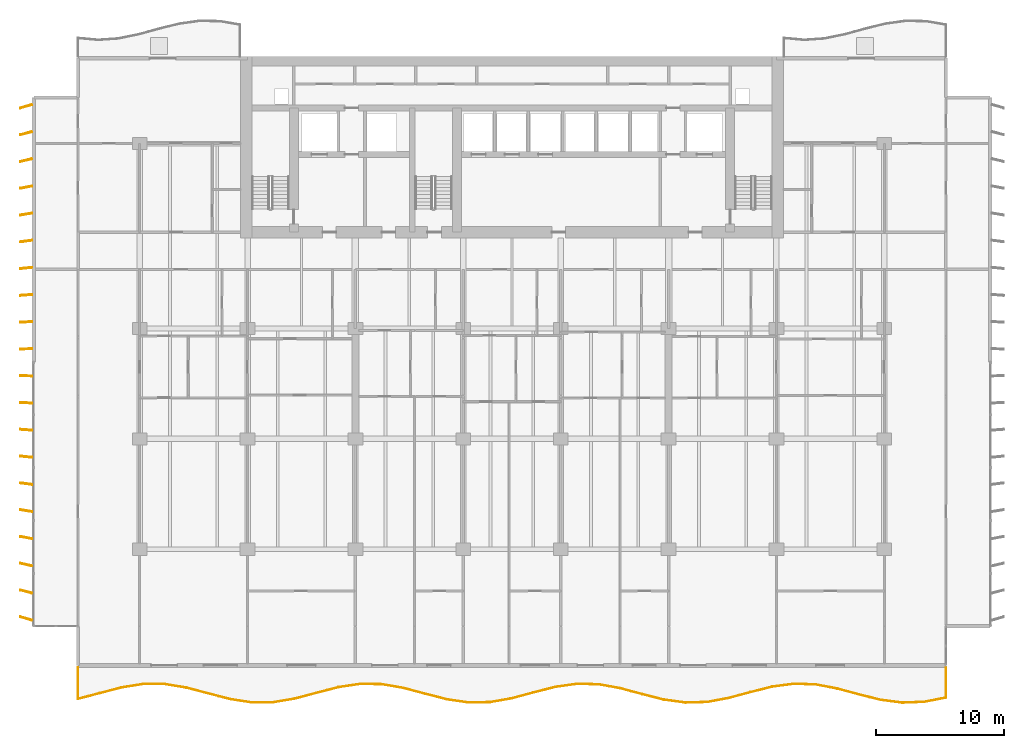
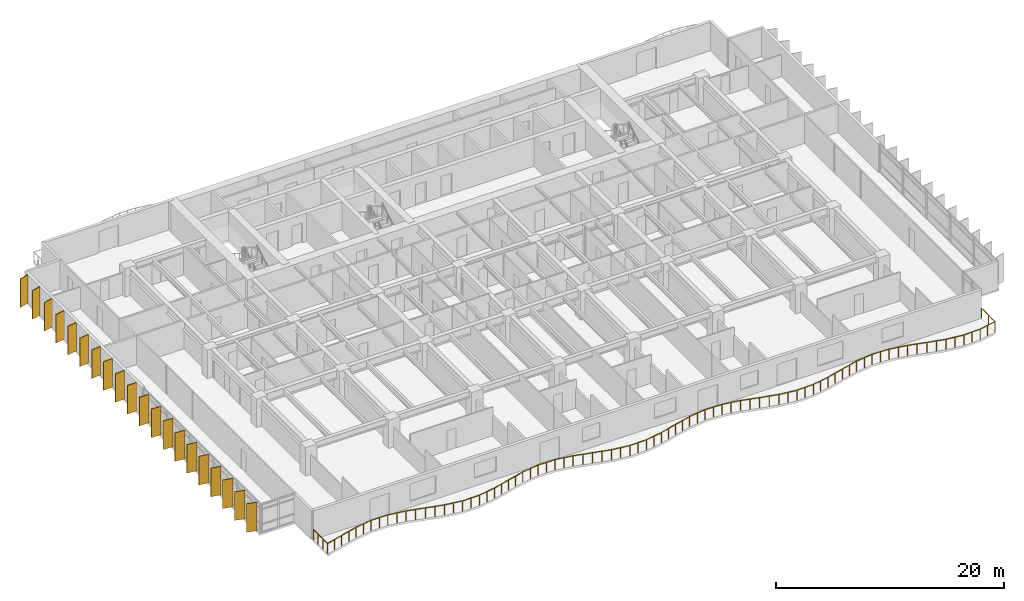
# One storey, part 15 of 18: 20 shading devices, 1 railing.
"""IFC4 building model written with IfcOpenShell, lengths in metres."""

from ifc_helpers import new_model, si_unit, direction, frame, origin, origin_2d, place, context, subcontext, project, spatial, rectangle, circle, extrude, material, material_profile, profile_set, type_object, element, save


model = new_model("IFC4")

# Units and contexts
model_context = context("Model", 3, precision=1e-05, world=origin(), true_north=direction((0.0, 1.0)))
body_context = subcontext(model_context, "Body", "Model", "MODEL_VIEW")
ifc_project = project(units=[si_unit("LENGTHUNIT", "METRE"), si_unit("AREAUNIT", "SQUARE_METRE"), si_unit("VOLUMEUNIT", "CUBIC_METRE"), si_unit("PLANEANGLEUNIT", "RADIAN"), si_unit("MASSUNIT", "GRAM", prefix="KILO")], contexts=[model_context])

# Site, building, storey
site_placement = place(None, origin())
site = spatial("IfcSite", under=ifc_project, at=site_placement, CompositionType="ELEMENT")
building_placement = place(site_placement, origin())
building = spatial("IfcBuilding", under=site, at=building_placement, Name="Caelmar Bay Residences", CompositionType="ELEMENT")
storey_placement = place(building_placement, frame((0.0, 0.0, 43.199951171875)))
storey = spatial("IfcBuildingStorey", under=building, at=storey_placement, Name="L10", CompositionType="ELEMENT", Elevation=43.199951171875)

# Railing
ifc_material_1 = material(Name="Anodised bronze handrail with laminated hurricane glass infill", Category="glass")
railing_type = type_object("IfcRailingType", Name="RL-BAL-1100", PredefinedType="BALUSTRADE", material=ifc_material_1)
railing_placement = place(storey_placement, frame((5.10009765625, 3.0, 0.0)))
element("IfcRailing", 1, at=railing_placement, inside=storey, type_object=railing_type, Name="L10 south Balcony Balustrade", PredefinedType="BALUSTRADE", context=body_context, shape_type="SweptSolid", body=[
    extrude(circle(Radius=0.02392578125, at=origin_2d()), frame((0.0, 0.0, 1.076171875), z_axis=(0.0, -1.0, 0.0), x_axis=(1.0, 0.0, 0.0)), (0.0, 0.0, 1.0), 2.460693359375),
    extrude(circle(Radius=0.02392578125, at=origin_2d()), frame((0.0, -2.460693359375, 1.076171875), z_axis=(0.967231823258, 0.25389486028, 0.0), x_axis=(-0.25389486028, 0.967231823258, 0.0)), (0.0, 0.0, 1.0), 1.747314453125),
    extrude(circle(Radius=0.02392578125, at=origin_2d()), frame((1.68994140625, -2.01708984375, 1.076171875), z_axis=(0.967403207519, 0.253241059235, 0.0), x_axis=(-0.253241059235, 0.967403207519, 0.0)), (0.0, 0.0, 1.0), 1.746826171875),
    extrude(circle(Radius=0.02392578125, at=origin_2d()), frame((3.3798828125, -1.57470703125, 1.076171875), z_axis=(0.987429947528, 0.158057264066, 0.0), x_axis=(-0.158057264066, 0.987429947528, 0.0)), (0.0, 0.0, 1.0), 1.71142578125),
    extrude(circle(Radius=0.02392578125, at=origin_2d()), frame((5.06982421875, -1.30419921875, 1.076171875), z_axis=(0.999993479857, -0.00361112769, 0.0), x_axis=(0.00361112769, 0.999993479857, 0.0)), (0.0, 0.0, 1.0), 1.690185546875),
    extrude(circle(Radius=0.02392578125, at=origin_2d()), frame((6.760009765625, -1.310302734375, 1.076171875), z_axis=(0.986524575318, -0.16361314829, 0.0), x_axis=(0.16361314829, 0.986524575318, 0.0)), (0.0, 0.0, 1.0), 1.713134765625),
    extrude(circle(Radius=0.02392578125, at=origin_2d()), frame((8.449951171875, -1.590576171875, 1.076171875), z_axis=(0.966853438305, -0.255331997287, 0.0), x_axis=(0.255331997287, 0.966853438305, 0.0)), (0.0, 0.0, 1.0), 1.747802734375),
    extrude(circle(Radius=0.02392578125, at=origin_2d()), frame((10.139892578125, -2.036865234375, 1.076171875), z_axis=(0.967778909052, -0.251801475759, 0.0), x_axis=(0.251801475759, 0.967778909052, 0.0)), (0.0, 0.0, 1.0), 1.74609375),
    extrude(circle(Radius=0.02392578125, at=origin_2d()), frame((11.829833984375, -2.4765625, 1.076171875), z_axis=(0.988071145599, -0.153998088416, 0.0), x_axis=(0.153998088416, 0.988071145599, 0.0)), (0.0, 0.0, 1.0), 1.710693359375),
    extrude(circle(Radius=0.02392578125, at=origin_2d()), frame((13.52001953125, -2.739990234375, 1.076171875), z_axis=(0.999961172343, 0.008812139774, 0.0), x_axis=(-0.008812139774, 0.999961172343, 0.0)), (0.0, 0.0, 1.0), 1.68994140625),
    extrude(circle(Radius=0.02392578125, at=origin_2d()), frame((15.2099609375, -2.72509765625, 1.076171875), z_axis=(0.985849727749, 0.167631483612, 0.0), x_axis=(-0.167631483612, 0.985849727749, 0.0)), (0.0, 0.0, 1.0), 1.714111328125),
    extrude(circle(Radius=0.02392578125, at=origin_2d()), frame((16.89990234375, -2.437744140625, 1.076171875), z_axis=(0.966542484633, 0.25650657964, 0.0), x_axis=(-0.25650657964, 0.966542484633, 0.0)), (0.0, 0.0, 1.0), 1.74853515625),
    extrude(circle(Radius=0.02392578125, at=origin_2d()), frame((18.58984375, -1.9892578125, 1.076171875), z_axis=(0.968186650973, 0.25022911277, 0.0), x_axis=(-0.25022911277, 0.968186650973, 0.0)), (0.0, 0.0, 1.0), 1.745361328125),
    extrude(circle(Radius=0.02392578125, at=origin_2d()), frame((20.27978515625, -1.552490234375, 1.076171875), z_axis=(0.988714222179, 0.149813840686, 0.0), x_axis=(-0.149813840686, 0.988714222179, 0.0)), (0.0, 0.0, 1.0), 1.70947265625),
    extrude(circle(Radius=0.02392578125, at=origin_2d()), frame((21.969970703125, -1.29638671875, 1.076171875), z_axis=(0.999903841731, -0.013867490437, 0.0), x_axis=(0.013867490437, 0.999903841731, 0.0)), (0.0, 0.0, 1.0), 1.690185546875),
    extrude(circle(Radius=0.02392578125, at=origin_2d()), frame((23.659912109375, -1.31982421875, 1.076171875), z_axis=(0.985183537336, -0.171503346213, 0.0), x_axis=(0.171503346213, 0.985183537336, 0.0)), (0.0, 0.0, 1.0), 1.71533203125),
    extrude(circle(Radius=0.02392578125, at=origin_2d()), frame((25.349853515625, -1.614013671875, 1.076171875), z_axis=(0.966195543816, -0.257810339415, 0.0), x_axis=(0.257810339415, 0.966195543816, 0.0)), (0.0, 0.0, 1.0), 1.7490234375),
    extrude(circle(Radius=0.02392578125, at=origin_2d()), frame((27.039794921875, -2.06494140625, 1.076171875), z_axis=(0.968634512431, -0.248489801253, 0.0), x_axis=(0.248489801253, 0.968634512431, 0.0)), (0.0, 0.0, 1.0), 1.744873046875),
    extrude(circle(Radius=0.02392578125, at=origin_2d()), frame((28.72998046875, -2.49853515625, 1.076171875), z_axis=(0.989337340387, -0.145642119309, 0.0), x_axis=(0.145642119309, 0.989337340387, 0.0)), (0.0, 0.0, 1.0), 1.708251953125),
    extrude(circle(Radius=0.02392578125, at=origin_2d()), frame((30.419921875, -2.747314453125, 1.076171875), z_axis=(0.999818224123, 0.019066166655, 0.0), x_axis=(-0.019066166655, 0.999818224123, 0.0)), (0.0, 0.0, 1.0), 1.690185546875),
    extrude(circle(Radius=0.02392578125, at=origin_2d()), frame((32.10986328125, -2.715087890625, 1.076171875), z_axis=(0.984527628223, 0.17522941895, 0.0), x_axis=(-0.17522941895, 0.984527628223, 0.0)), (0.0, 0.0, 1.0), 1.716552734375),
    extrude(circle(Radius=0.02392578125, at=origin_2d()), frame((33.7998046875, -2.414306640625, 1.076171875), z_axis=(0.965891365532, 0.258947620169, 0.0), x_axis=(-0.258947620169, 0.965891365532, 0.0)), (0.0, 0.0, 1.0), 1.749755859375),
    extrude(circle(Radius=0.02392578125, at=origin_2d()), frame((35.489990234375, -1.961181640625, 1.076171875), z_axis=(0.96906248009, 0.246815537764, 0.0), x_axis=(-0.246815537764, 0.96906248009, 0.0)), (0.0, 0.0, 1.0), 1.743896484375),
    extrude(circle(Radius=0.02392578125, at=origin_2d()), frame((37.179931640625, -1.53076171875, 1.076171875), z_axis=(0.989946633168, 0.141441378244, 0.0), x_axis=(-0.141441378244, 0.989946633168, 0.0)), (0.0, 0.0, 1.0), 1.70703125),
    extrude(circle(Radius=0.02392578125, at=origin_2d()), frame((38.869873046875, -1.289306640625, 1.076171875), z_axis=(0.999705602876, -0.02426329692, 0.0), x_axis=(0.02426329692, 0.999705602876, 0.0)), (0.0, 0.0, 1.0), 1.6904296875),
    extrude(circle(Radius=0.02392578125, at=origin_2d()), frame((40.559814453125, -1.330322265625, 1.076171875), z_axis=(0.983863087858, -0.178922956466, 0.0), x_axis=(0.178922956466, 0.983863087858, 0.0)), (0.0, 0.0, 1.0), 1.718017578125),
    extrude(circle(Radius=0.02392578125, at=origin_2d()), frame((42.25, -1.6376953125, 1.076171875), z_axis=(0.965602288492, -0.260023499819, 0.0), x_axis=(0.260023499819, 0.965602288492, 0.0)), (0.0, 0.0, 1.0), 1.750244140625),
    extrude(circle(Radius=0.02392578125, at=origin_2d()), frame((43.93994140625, -2.0927734375, 1.076171875), z_axis=(0.969529740211, -0.244973637045, 0.0), x_axis=(0.244973637045, 0.969529740211, 0.0)), (0.0, 0.0, 1.0), 1.7431640625),
    extrude(circle(Radius=0.02392578125, at=origin_2d()), frame((45.6298828125, -2.519775390625, 1.076171875), z_axis=(0.990558239729, -0.137092573485, 0.0), x_axis=(0.137092573485, 0.990558239729, 0.0)), (0.0, 0.0, 1.0), 1.7060546875),
    extrude(circle(Radius=0.02392578125, at=origin_2d()), frame((47.31982421875, -2.753662109375, 1.076171875), z_axis=(0.999570371119, 0.029309950215, 0.0), x_axis=(-0.029309950215, 0.999570371119, 0.0)), (0.0, 0.0, 1.0), 1.69091796875),
    extrude(circle(Radius=0.02392578125, at=origin_2d()), frame((49.010009765625, -2.7041015625, 1.076171875), z_axis=(0.983176348707, 0.182658882467, 0.0), x_axis=(-0.182658882467, 0.983176348707, 0.0)), (0.0, 0.0, 1.0), 1.71875),
    extrude(circle(Radius=0.02392578125, at=origin_2d()), frame((50.699951171875, -2.39013671875, 1.076171875), z_axis=(0.965321609999, 0.261063573233, 0.0), x_axis=(-0.261063573233, 0.965321609999, 0.0)), (0.0, 0.0, 1.0), 1.750732421875),
    extrude(circle(Radius=0.02392578125, at=origin_2d()), frame((52.389892578125, -1.93310546875, 1.076171875), z_axis=(0.970060007884, 0.242865355918, 0.0), x_axis=(-0.242865355918, 0.970060007884, 0.0)), (0.0, 0.0, 1.0), 1.7421875),
    extrude(circle(Radius=0.02392578125, at=origin_2d()), frame((54.079833984375, -1.510009765625, 1.076171875), z_axis=(0.991153973963, 0.132716991747, 0.0), x_axis=(-0.132716991747, 0.991153973963, 0.0)), (0.0, 0.0, 1.0), 1.705322265625),
    extrude(circle(Radius=0.02392578125, at=origin_2d()), frame((55.77001953125, -1.28369140625, 1.076171875), z_axis=(0.999409423897, -0.034362820411, 0.0), x_axis=(0.034362820411, 0.999409423897, 0.0)), (0.0, 0.0, 1.0), 1.69091796875),
    extrude(circle(Radius=0.02392578125, at=origin_2d()), frame((57.4599609375, -1.341796875, 1.076171875), z_axis=(0.982507127057, -0.186224985654, 0.0), x_axis=(0.186224985654, 0.982507127057, 0.0)), (0.0, 0.0, 1.0), 1.719970703125),
    extrude(circle(Radius=0.02392578125, at=origin_2d()), frame((59.14990234375, -1.662109375, 1.076171875), z_axis=(0.965110473694, -0.261843032303, 0.0), x_axis=(0.261843032303, 0.965110473694, 0.0)), (0.0, 0.0, 1.0), 1.7509765625),
    extrude(circle(Radius=0.02392578125, at=origin_2d()), frame((60.83984375, -2.12060546875, 1.076171875), z_axis=(0.970520699946, -0.241017781452, 0.0), x_axis=(0.241017781452, 0.970520699946, 0.0)), (0.0, 0.0, 1.0), 1.7412109375),
    extrude(circle(Radius=0.02392578125, at=origin_2d()), frame((62.52978515625, -2.540283203125, 1.076171875), z_axis=(0.991746752599, -0.128212240875, 0.0), x_axis=(0.128212240875, 0.991746752599, 0.0)), (0.0, 0.0, 1.0), 1.704345703125),
    extrude(circle(Radius=0.02392578125, at=origin_2d()), frame((64.219970703125, -2.7587890625, 1.076171875), z_axis=(0.99921747551, 0.03955295988, 0.0), x_axis=(-0.03955295988, 0.99921747551, 0.0)), (0.0, 0.0, 1.0), 1.691162109375),
    extrude(circle(Radius=0.02392578125, at=origin_2d()), frame((65.909912109375, -2.69189453125, 1.076171875), z_axis=(0.981852337734, 0.189647006003, 0.0), x_axis=(-0.189647006003, 0.981852337734, 0.0)), (0.0, 0.0, 1.0), 1.72119140625),
    extrude(circle(Radius=0.02392578125, at=origin_2d()), frame((67.599853515625, -2.365478515625, 1.076171875), z_axis=(0.0, 1.0, 0.0), x_axis=(-1.0, 0.0, 0.0)), (0.0, 0.0, 1.0), 2.365478515625),
    extrude(circle(Radius=0.02099609375, at=origin_2d()), origin(), (0.0, 0.0, 1.0), 1.052001953125),
    extrude(circle(Radius=0.02099609375, at=origin_2d()), frame((0.0, -0.8203125, 0.0)), (0.0, 0.0, 1.0), 1.052001953125),
    extrude(circle(Radius=0.02099609375, at=origin_2d()), frame((0.0, -1.640380859375, 0.0)), (0.0, 0.0, 1.0), 1.052001953125),
    extrude(circle(Radius=0.02099609375, at=origin_2d()), frame((0.0, -2.460693359375, 0.0)), (0.0, 0.0, 1.0), 1.052001953125),
    extrude(circle(Radius=0.02099609375, at=origin_2d()), frame((0.844970703125, -2.23876953125, 0.0)), (0.0, 0.0, 1.0), 1.052001953125),
    extrude(circle(Radius=0.02099609375, at=origin_2d()), frame((1.68994140625, -2.01708984375, 0.0)), (0.0, 0.0, 1.0), 1.052001953125),
    extrude(circle(Radius=0.02099609375, at=origin_2d()), frame((2.534912109375, -1.7958984375, 0.0)), (0.0, 0.0, 1.0), 1.052001953125),
    extrude(circle(Radius=0.02099609375, at=origin_2d()), frame((3.3798828125, -1.57470703125, 0.0)), (0.0, 0.0, 1.0), 1.052001953125),
    extrude(circle(Radius=0.02099609375, at=origin_2d()), frame((4.224853515625, -1.439453125, 0.0)), (0.0, 0.0, 1.0), 1.052001953125),
    extrude(circle(Radius=0.02099609375, at=origin_2d()), frame((5.06982421875, -1.30419921875, 0.0)), (0.0, 0.0, 1.0), 1.052001953125),
    extrude(circle(Radius=0.02099609375, at=origin_2d()), frame((5.9150390625, -1.30712890625, 0.0)), (0.0, 0.0, 1.0), 1.052001953125),
    extrude(circle(Radius=0.02099609375, at=origin_2d()), frame((6.760009765625, -1.310302734375, 0.0)), (0.0, 0.0, 1.0), 1.052001953125),
    extrude(circle(Radius=0.02099609375, at=origin_2d()), frame((7.60498046875, -1.450439453125, 0.0)), (0.0, 0.0, 1.0), 1.052001953125),
    extrude(circle(Radius=0.02099609375, at=origin_2d()), frame((8.449951171875, -1.590576171875, 0.0)), (0.0, 0.0, 1.0), 1.052001953125),
    extrude(circle(Radius=0.02099609375, at=origin_2d()), frame((9.294921875, -1.813720703125, 0.0)), (0.0, 0.0, 1.0), 1.052001953125),
    extrude(circle(Radius=0.02099609375, at=origin_2d()), frame((10.139892578125, -2.036865234375, 0.0)), (0.0, 0.0, 1.0), 1.052001953125),
    extrude(circle(Radius=0.02099609375, at=origin_2d()), frame((10.98486328125, -2.2568359375, 0.0)), (0.0, 0.0, 1.0), 1.052001953125),
    extrude(circle(Radius=0.02099609375, at=origin_2d()), frame((11.829833984375, -2.4765625, 0.0)), (0.0, 0.0, 1.0), 1.052001953125),
    extrude(circle(Radius=0.02099609375, at=origin_2d()), frame((12.6748046875, -2.6083984375, 0.0)), (0.0, 0.0, 1.0), 1.052001953125),
    extrude(circle(Radius=0.02099609375, at=origin_2d()), frame((13.52001953125, -2.739990234375, 0.0)), (0.0, 0.0, 1.0), 1.052001953125),
    extrude(circle(Radius=0.02099609375, at=origin_2d()), frame((14.364990234375, -2.732421875, 0.0)), (0.0, 0.0, 1.0), 1.052001953125),
    extrude(circle(Radius=0.02099609375, at=origin_2d()), frame((15.2099609375, -2.72509765625, 0.0)), (0.0, 0.0, 1.0), 1.052001953125),
    extrude(circle(Radius=0.02099609375, at=origin_2d()), frame((16.054931640625, -2.58154296875, 0.0)), (0.0, 0.0, 1.0), 1.052001953125),
    extrude(circle(Radius=0.02099609375, at=origin_2d()), frame((16.89990234375, -2.437744140625, 0.0)), (0.0, 0.0, 1.0), 1.052001953125),
    extrude(circle(Radius=0.02099609375, at=origin_2d()), frame((17.744873046875, -2.21337890625, 0.0)), (0.0, 0.0, 1.0), 1.052001953125),
    extrude(circle(Radius=0.02099609375, at=origin_2d()), frame((18.58984375, -1.9892578125, 0.0)), (0.0, 0.0, 1.0), 1.052001953125),
    extrude(circle(Radius=0.02099609375, at=origin_2d()), frame((19.434814453125, -1.77099609375, 0.0)), (0.0, 0.0, 1.0), 1.052001953125),
    extrude(circle(Radius=0.02099609375, at=origin_2d()), frame((20.27978515625, -1.552490234375, 0.0)), (0.0, 0.0, 1.0), 1.052001953125),
    extrude(circle(Radius=0.02099609375, at=origin_2d()), frame((21.125, -1.42431640625, 0.0)), (0.0, 0.0, 1.0), 1.052001953125),
    extrude(circle(Radius=0.02099609375, at=origin_2d()), frame((21.969970703125, -1.29638671875, 0.0)), (0.0, 0.0, 1.0), 1.052001953125),
    extrude(circle(Radius=0.02099609375, at=origin_2d()), frame((22.81494140625, -1.30810546875, 0.0)), (0.0, 0.0, 1.0), 1.052001953125),
    extrude(circle(Radius=0.02099609375, at=origin_2d()), frame((23.659912109375, -1.31982421875, 0.0)), (0.0, 0.0, 1.0), 1.052001953125),
    extrude(circle(Radius=0.02099609375, at=origin_2d()), frame((24.5048828125, -1.466796875, 0.0)), (0.0, 0.0, 1.0), 1.052001953125),
    extrude(circle(Radius=0.02099609375, at=origin_2d()), frame((25.349853515625, -1.614013671875, 0.0)), (0.0, 0.0, 1.0), 1.052001953125),
    extrude(circle(Radius=0.02099609375, at=origin_2d()), frame((26.19482421875, -1.83935546875, 0.0)), (0.0, 0.0, 1.0), 1.052001953125),
    extrude(circle(Radius=0.02099609375, at=origin_2d()), frame((27.039794921875, -2.06494140625, 0.0)), (0.0, 0.0, 1.0), 1.052001953125),
    extrude(circle(Radius=0.02099609375, at=origin_2d()), frame((27.884765625, -2.28173828125, 0.0)), (0.0, 0.0, 1.0), 1.052001953125),
    extrude(circle(Radius=0.02099609375, at=origin_2d()), frame((28.72998046875, -2.49853515625, 0.0)), (0.0, 0.0, 1.0), 1.052001953125),
    extrude(circle(Radius=0.02099609375, at=origin_2d()), frame((29.574951171875, -2.623046875, 0.0)), (0.0, 0.0, 1.0), 1.052001953125),
    extrude(circle(Radius=0.02099609375, at=origin_2d()), frame((30.419921875, -2.747314453125, 0.0)), (0.0, 0.0, 1.0), 1.052001953125),
    extrude(circle(Radius=0.02099609375, at=origin_2d()), frame((31.264892578125, -2.731201171875, 0.0)), (0.0, 0.0, 1.0), 1.052001953125),
    extrude(circle(Radius=0.02099609375, at=origin_2d()), frame((32.10986328125, -2.715087890625, 0.0)), (0.0, 0.0, 1.0), 1.052001953125),
    extrude(circle(Radius=0.02099609375, at=origin_2d()), frame((32.954833984375, -2.564697265625, 0.0)), (0.0, 0.0, 1.0), 1.052001953125),
    extrude(circle(Radius=0.02099609375, at=origin_2d()), frame((33.7998046875, -2.414306640625, 0.0)), (0.0, 0.0, 1.0), 1.052001953125),
    extrude(circle(Radius=0.02099609375, at=origin_2d()), frame((34.64501953125, -2.187744140625, 0.0)), (0.0, 0.0, 1.0), 1.052001953125),
    extrude(circle(Radius=0.02099609375, at=origin_2d()), frame((35.489990234375, -1.961181640625, 0.0)), (0.0, 0.0, 1.0), 1.052001953125),
    extrude(circle(Radius=0.02099609375, at=origin_2d()), frame((36.3349609375, -1.74609375, 0.0)), (0.0, 0.0, 1.0), 1.052001953125),
    extrude(circle(Radius=0.02099609375, at=origin_2d()), frame((37.179931640625, -1.53076171875, 0.0)), (0.0, 0.0, 1.0), 1.052001953125),
    extrude(circle(Radius=0.02099609375, at=origin_2d()), frame((38.02490234375, -1.41015625, 0.0)), (0.0, 0.0, 1.0), 1.052001953125),
    extrude(circle(Radius=0.02099609375, at=origin_2d()), frame((38.869873046875, -1.289306640625, 0.0)), (0.0, 0.0, 1.0), 1.052001953125),
    extrude(circle(Radius=0.02099609375, at=origin_2d()), frame((39.71484375, -1.309814453125, 0.0)), (0.0, 0.0, 1.0), 1.052001953125),
    extrude(circle(Radius=0.02099609375, at=origin_2d()), frame((40.559814453125, -1.330322265625, 0.0)), (0.0, 0.0, 1.0), 1.052001953125),
    extrude(circle(Radius=0.02099609375, at=origin_2d()), frame((41.40478515625, -1.48388671875, 0.0)), (0.0, 0.0, 1.0), 1.052001953125),
    extrude(circle(Radius=0.02099609375, at=origin_2d()), frame((42.25, -1.6376953125, 0.0)), (0.0, 0.0, 1.0), 1.052001953125),
    extrude(circle(Radius=0.02099609375, at=origin_2d()), frame((43.094970703125, -1.865234375, 0.0)), (0.0, 0.0, 1.0), 1.052001953125),
    extrude(circle(Radius=0.02099609375, at=origin_2d()), frame((43.93994140625, -2.0927734375, 0.0)), (0.0, 0.0, 1.0), 1.052001953125),
    extrude(circle(Radius=0.02099609375, at=origin_2d()), frame((44.784912109375, -2.30615234375, 0.0)), (0.0, 0.0, 1.0), 1.052001953125),
    extrude(circle(Radius=0.02099609375, at=origin_2d()), frame((45.6298828125, -2.519775390625, 0.0)), (0.0, 0.0, 1.0), 1.052001953125),
    extrude(circle(Radius=0.02099609375, at=origin_2d()), frame((46.474853515625, -2.63671875, 0.0)), (0.0, 0.0, 1.0), 1.052001953125),
    extrude(circle(Radius=0.02099609375, at=origin_2d()), frame((47.31982421875, -2.753662109375, 0.0)), (0.0, 0.0, 1.0), 1.052001953125),
    extrude(circle(Radius=0.02099609375, at=origin_2d()), frame((48.1650390625, -2.72900390625, 0.0)), (0.0, 0.0, 1.0), 1.052001953125),
    extrude(circle(Radius=0.02099609375, at=origin_2d()), frame((49.010009765625, -2.7041015625, 0.0)), (0.0, 0.0, 1.0), 1.052001953125),
    extrude(circle(Radius=0.02099609375, at=origin_2d()), frame((49.85498046875, -2.547119140625, 0.0)), (0.0, 0.0, 1.0), 1.052001953125),
    extrude(circle(Radius=0.02099609375, at=origin_2d()), frame((50.699951171875, -2.39013671875, 0.0)), (0.0, 0.0, 1.0), 1.052001953125),
    extrude(circle(Radius=0.02099609375, at=origin_2d()), frame((51.544921875, -2.16162109375, 0.0)), (0.0, 0.0, 1.0), 1.052001953125),
    extrude(circle(Radius=0.02099609375, at=origin_2d()), frame((52.389892578125, -1.93310546875, 0.0)), (0.0, 0.0, 1.0), 1.052001953125),
    extrude(circle(Radius=0.02099609375, at=origin_2d()), frame((53.23486328125, -1.7216796875, 0.0)), (0.0, 0.0, 1.0), 1.052001953125),
    extrude(circle(Radius=0.02099609375, at=origin_2d()), frame((54.079833984375, -1.510009765625, 0.0)), (0.0, 0.0, 1.0), 1.052001953125),
    extrude(circle(Radius=0.02099609375, at=origin_2d()), frame((54.9248046875, -1.39697265625, 0.0)), (0.0, 0.0, 1.0), 1.052001953125),
    extrude(circle(Radius=0.02099609375, at=origin_2d()), frame((55.77001953125, -1.28369140625, 0.0)), (0.0, 0.0, 1.0), 1.052001953125),
    extrude(circle(Radius=0.02099609375, at=origin_2d()), frame((56.614990234375, -1.312744140625, 0.0)), (0.0, 0.0, 1.0), 1.052001953125),
    extrude(circle(Radius=0.02099609375, at=origin_2d()), frame((57.4599609375, -1.341796875, 0.0)), (0.0, 0.0, 1.0), 1.052001953125),
    extrude(circle(Radius=0.02099609375, at=origin_2d()), frame((58.304931640625, -1.501953125, 0.0)), (0.0, 0.0, 1.0), 1.052001953125),
    extrude(circle(Radius=0.02099609375, at=origin_2d()), frame((59.14990234375, -1.662109375, 0.0)), (0.0, 0.0, 1.0), 1.052001953125),
    extrude(circle(Radius=0.02099609375, at=origin_2d()), frame((59.994873046875, -1.891357421875, 0.0)), (0.0, 0.0, 1.0), 1.052001953125),
    extrude(circle(Radius=0.02099609375, at=origin_2d()), frame((60.83984375, -2.12060546875, 0.0)), (0.0, 0.0, 1.0), 1.052001953125),
    extrude(circle(Radius=0.02099609375, at=origin_2d()), frame((61.684814453125, -2.33056640625, 0.0)), (0.0, 0.0, 1.0), 1.052001953125),
    extrude(circle(Radius=0.02099609375, at=origin_2d()), frame((62.52978515625, -2.540283203125, 0.0)), (0.0, 0.0, 1.0), 1.052001953125),
    extrude(circle(Radius=0.02099609375, at=origin_2d()), frame((63.375, -2.6494140625, 0.0)), (0.0, 0.0, 1.0), 1.052001953125),
    extrude(circle(Radius=0.02099609375, at=origin_2d()), frame((64.219970703125, -2.7587890625, 0.0)), (0.0, 0.0, 1.0), 1.052001953125),
    extrude(circle(Radius=0.02099609375, at=origin_2d()), frame((65.06494140625, -2.725341796875, 0.0)), (0.0, 0.0, 1.0), 1.052001953125),
    extrude(circle(Radius=0.02099609375, at=origin_2d()), frame((65.909912109375, -2.69189453125, 0.0)), (0.0, 0.0, 1.0), 1.052001953125),
    extrude(circle(Radius=0.02099609375, at=origin_2d()), frame((66.7548828125, -2.52880859375, 0.0)), (0.0, 0.0, 1.0), 1.052001953125),
    extrude(circle(Radius=0.02099609375, at=origin_2d()), frame((67.599853515625, -2.365478515625, 0.0)), (0.0, 0.0, 1.0), 1.052001953125),
    extrude(circle(Radius=0.02099609375, at=origin_2d()), frame((67.599853515625, -1.1826171875, 0.0)), (0.0, 0.0, 1.0), 1.052001953125),
    extrude(circle(Radius=0.02099609375, at=origin_2d()), frame((67.599853515625, 0.0, 0.0)), (0.0, 0.0, 1.0), 1.052001953125),
])

# Shading devices
ifc_material_2 = material(Name="Anodised architectural bronze aluminium 6063-T6", Category="aluminium")
ifc_material_profile = material_profile(ifc_material_2, rectangle(XDim=0.074951171875, YDim=0.949951171875, at=origin_2d()), Name="BRONZE-FIN-75X950")
ifc_profile_set = profile_set([ifc_material_profile], Name="Anodised architectural bronze aluminium 6063-T6")
shading_device_type = type_object("IfcShadingDeviceType", Name="SHD-FIN-950", PredefinedType="USERDEFINED", material=ifc_profile_set)
for number, where, z_axis, x_axis, name in (
    (2, (1.050048828125, 6.800048828125, 0.0), (0.0, 0.0, 1.0), (0.275637355817, 0.961261695938, 0.0), "L10 West Bronze Solar Fin 1"),
    (3, (1.050048828125, 8.89990234375, 0.0), (0.0, 0.0, 1.0), (0.247337247968, 0.968929453452, 0.0), "L10 West Bronze Solar Fin 2"),
    (4, (1.050048828125, 11.0, 0.0), (0.0, 0.0, 1.0), (0.218654200292, 0.975802408633, 0.0), "L10 West Bronze Solar Fin 3"),
    (5, (1.050048828125, 13.10009765625, 0.0), (0.0, 0.0, 1.0), (0.189952291512, 0.981793321911, 0.0), "L10 West Bronze Solar Fin 4"),
    (6, (1.050048828125, 15.199951171875, 0.0), (0.0, 0.0, 1.0), (0.160914826518, 0.986968296657, 0.0), "L10 West Bronze Solar Fin 5"),
    (7, (1.050048828125, 17.300048828125, 0.0), (0.0, 0.0, 1.0), (0.131910382711, 0.991261646052, 0.0), "L10 West Bronze Solar Fin 6"),
    (8, (1.050048828125, 19.39990234375, 0.0), (0.0, 0.0, 1.0), (0.10261892683, 0.994720742649, 0.0), "L10 West Bronze Solar Fin 7"),
    (9, (1.050048828125, 21.5, 0.0), (0.0, 0.0, 1.0), (0.073412260224, 0.997301679558, 0.0), "L10 West Bronze Solar Fin 8"),
    (10, (1.050048828125, 23.60009765625, 0.0), (0.0, 0.0, 1.0), (0.044142481788, 0.999025245578, 0.0), "L10 West Bronze Solar Fin 9"),
    (11, (1.050048828125, 25.699951171875, 0.0), (0.0, 0.0, 1.0), (0.01466024053, 0.999892532899, 0.0), "L10 West Bronze Solar Fin 10"),
    (12, (1.050048828125, 27.800048828125, 0.0), (0.0, 0.0, 1.0), (-0.01466024053, 0.999892532899, 0.0), "L10 West Bronze Solar Fin 11"),
    (13, (1.050048828125, 29.89990234375, 0.0), (0.0, 0.0, 1.0), (-0.044142481788, 0.999025245578, 0.0), "L10 West Bronze Solar Fin 12"),
    (14, (1.050048828125, 32.0, 0.0), (0.0, 0.0, 1.0), (-0.073412260224, 0.997301679558, 0.0), "L10 West Bronze Solar Fin 13"),
    (15, (1.050048828125, 34.10009765625, 0.0), (0.0, 0.0, 1.0), (-0.10261892683, 0.994720742649, 0.0), "L10 West Bronze Solar Fin 14"),
    (16, (1.050048828125, 36.199951171875, 0.0), (0.0, 0.0, 1.0), (-0.131910382711, 0.991261646052, 0.0), "L10 West Bronze Solar Fin 15"),
    (17, (1.050048828125, 38.300048828125, 0.0), (0.0, 0.0, 1.0), (-0.160914826518, 0.986968296657, 0.0), "L10 West Bronze Solar Fin 16"),
    (18, (1.050048828125, 40.39990234375, 0.0), (0.0, 0.0, 1.0), (-0.189952291512, 0.981793321911, 0.0), "L10 West Bronze Solar Fin 17"),
    (19, (1.050048828125, 42.5, 0.0), (0.0, 0.0, 1.0), (-0.218654200292, 0.975802408633, 0.0), "L10 West Bronze Solar Fin 18"),
    (20, (1.050048828125, 44.60009765625, 0.0), (0.0, 0.0, 1.0), (-0.247337247968, 0.968929453452, 0.0), "L10 West Bronze Solar Fin 19"),
    (21, (1.050048828125, 46.699951171875, 0.0), (0.0, 0.0, 1.0), (-0.275637355817, 0.961261695938, 0.0), "L10 West Bronze Solar Fin 20"),
):
    element("IfcShadingDevice", number, at=place(storey_placement, frame(where, z_axis=z_axis, x_axis=x_axis)), inside=storey, type_object=shading_device_type, Name=name, ObjectType="FIN", PredefinedType="USERDEFINED", context=body_context, shape_type="SweptSolid", body=[
        extrude(rectangle(XDim=0.074951171875, YDim=0.949951171875, at=origin_2d()), origin(), (0.0, 0.0, 1.0), 3.050048828125),
    ])

save(model, "model.ifc")
